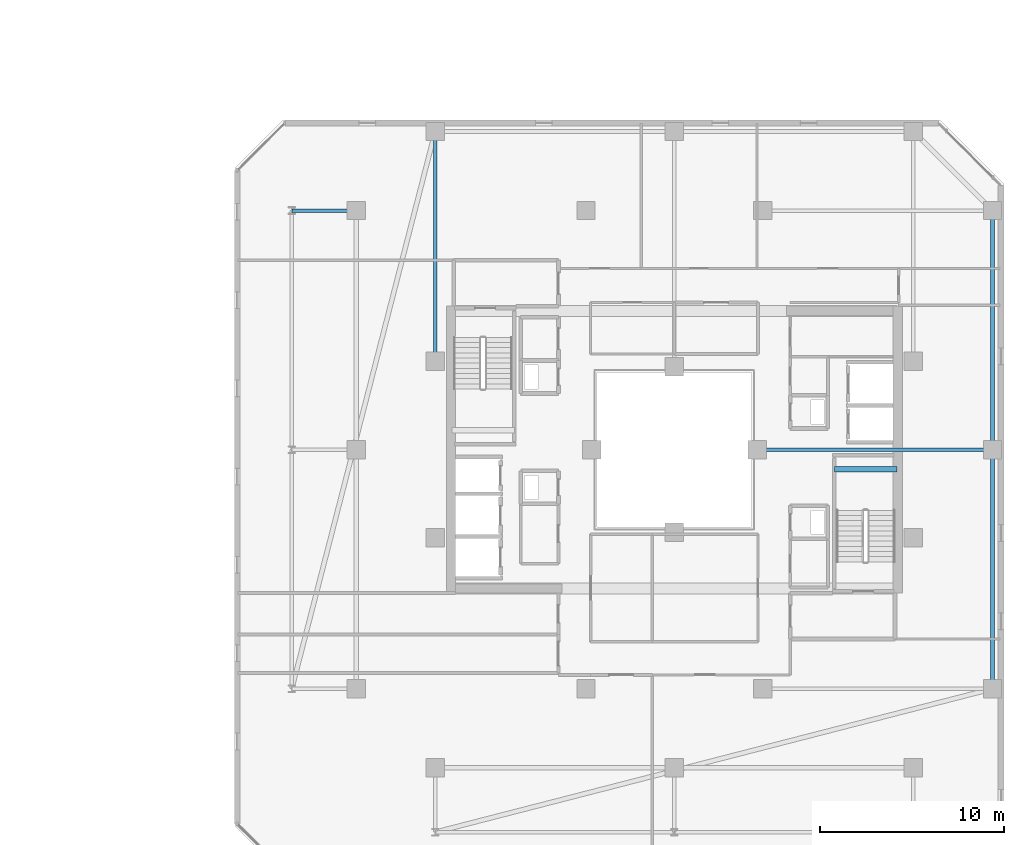
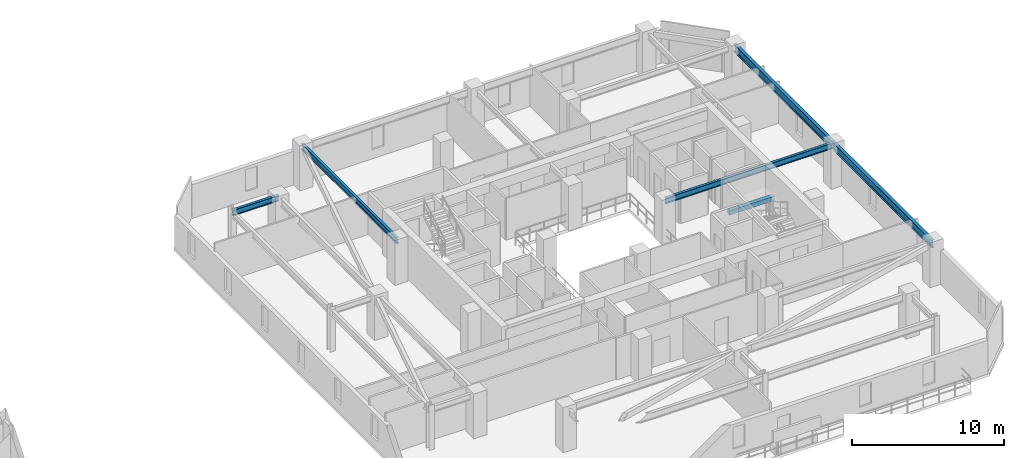
# One storey, part 14 of 33: 6 beams.
"""IFC4 building model written with IfcOpenShell, lengths in metres."""

from ifc_helpers import new_model, si_unit, direction, frame, origin, origin_2d, place, context, subcontext, project, spatial, rectangle, i_section, extrude, material, material_profile, profile_set, type_object, element, save


model = new_model("IFC4")

# Units and contexts
model_context = context("Model", 3, precision=1e-05, world=origin(), true_north=direction((0.0, 1.0)))
body_context = subcontext(model_context, "Body", "Model", "MODEL_VIEW")
ifc_project = project(units=[si_unit("LENGTHUNIT", "METRE"), si_unit("AREAUNIT", "SQUARE_METRE"), si_unit("VOLUMEUNIT", "CUBIC_METRE"), si_unit("PLANEANGLEUNIT", "RADIAN"), si_unit("MASSUNIT", "GRAM", prefix="KILO")], contexts=[model_context])

# Site, building, storey
site_placement = place(None, origin())
site = spatial("IfcSite", under=ifc_project, at=site_placement, CompositionType="ELEMENT")
building_placement = place(site_placement, origin())
building = spatial("IfcBuilding", under=site, at=building_placement, Name="Thornwick Lancets Civic Towers", CompositionType="ELEMENT")
storey_placement = place(building_placement, frame((0.0, 0.0, 210.89990234375)))
storey = spatial("IfcBuildingStorey", under=building, at=storey_placement, Name="L56", CompositionType="ELEMENT", Elevation=210.89990234375)

# Beams
ifc_material_1 = material(Name="Steel S355JR", Category="steel")
ifc_material_profile_1 = material_profile(ifc_material_1, i_section(OverallWidth=0.230224609375, OverallDepth=0.6171875, WebThickness=0.01318359375, FlangeThickness=0.022216796875, FilletRadius=0.0126953125, at=origin_2d()), Name="UKB 610x229x140")
ifc_profile_set_1 = profile_set([ifc_material_profile_1], Name="Steel S355JR")
beam_type_1 = type_object("IfcBeamType", Name="BM_GIRD_610_140", PredefinedType="BEAM", material=ifc_profile_set_1)
beam_1_placement = place(storey_placement, frame((105.800048828125, 14.0, 3.051513671875), z_axis=(0.0, 1.0, 0.0), x_axis=(-1.0, 0.0, 0.0)))
element("IfcBeam", 1, at=beam_1_placement, inside=storey, type_object=beam_type_1, Name="BM-SPINE-L56-B-0-1", PredefinedType="BEAM", context=body_context, shape_type="SweptSolid", body=[
    extrude(i_section(OverallWidth=0.230224609375, OverallDepth=0.6171875, WebThickness=0.01318359375, FlangeThickness=0.022216796875, FilletRadius=0.0126953125, at=origin_2d()), origin(), (0.0, 0.0, 1.0), 13.0),
])
beam_2_placement = place(storey_placement, frame((105.800048828125, 27.080078125, 3.051513671875), z_axis=(0.0, 1.0, 0.0), x_axis=(-1.0, 0.0, 0.0)))
element("IfcBeam", 2, at=beam_2_placement, inside=storey, type_object=beam_type_1, Name="BM-SPINE-L56-B-1-2", PredefinedType="BEAM", context=body_context, shape_type="SweptSolid", body=[
    extrude(i_section(OverallWidth=0.230224609375, OverallDepth=0.6171875, WebThickness=0.01318359375, FlangeThickness=0.022216796875, FilletRadius=0.0126953125, at=origin_2d()), origin(), (0.0, 0.0, 1.0), 12.919921875),
])
ifc_material_profile_2 = material_profile(ifc_material_1, i_section(OverallWidth=0.19287109375, OverallDepth=0.46728515625, WebThickness=0.011474609375, FlangeThickness=0.01953125, FilletRadius=0.01025390625, at=origin_2d()), Name="UKB 457x191x98")
ifc_profile_set_2 = profile_set([ifc_material_profile_2], Name="Steel S355JR")
beam_type_2 = type_object("IfcBeamType", Name="BM_JOIST_457_98", PredefinedType="JOIST", material=ifc_profile_set_2)
beam_3_placement = place(storey_placement, frame((93.0, 27.0, 3.12646484375), z_axis=(1.0, 0.0, 0.0), x_axis=(0.0, 1.0, 0.0)))
element("IfcBeam", 3, at=beam_3_placement, inside=storey, type_object=beam_type_2, Name="BM-RADIN-L56-B02", PredefinedType="JOIST", context=body_context, shape_type="SweptSolid", body=[
    extrude(i_section(OverallWidth=0.19287109375, OverallDepth=0.46728515625, WebThickness=0.011474609375, FlangeThickness=0.01953125, FilletRadius=0.01025390625, at=origin_2d()), origin(), (0.0, 0.0, 1.0), 12.800048828125),
])
beam_4_placement = place(storey_placement, frame((75.5, 31.800048828125, 3.12646484375), z_axis=(0.0, 1.0, 0.0), x_axis=(-1.0, 0.0, 0.0)))
element("IfcBeam", 4, at=beam_4_placement, inside=storey, type_object=beam_type_2, Name="BM-RADIN-L56-B06", PredefinedType="JOIST", context=body_context, shape_type="SweptSolid", body=[
    extrude(i_section(OverallWidth=0.19287109375, OverallDepth=0.46728515625, WebThickness=0.011474609375, FlangeThickness=0.01953125, FilletRadius=0.01025390625, at=origin_2d()), origin(), (0.0, 0.0, 1.0), 12.5),
])
beam_5_placement = place(storey_placement, frame((71.199951171875, 40.0, 3.12646484375), z_axis=(-1.0, 0.0, 0.0), x_axis=(0.0, -1.0, 0.0)))
element("IfcBeam", 5, at=beam_5_placement, inside=storey, type_object=beam_type_2, Name="BM-RAD-L56-B09", PredefinedType="JOIST", context=body_context, shape_type="SweptSolid", body=[
    extrude(i_section(OverallWidth=0.19287109375, OverallDepth=0.46728515625, WebThickness=0.011474609375, FlangeThickness=0.01953125, FilletRadius=0.01025390625, at=origin_2d()), origin(), (0.0, 0.0, 1.0), 3.5),
])
ifc_material_2 = material(Name="Concrete C40/50", Category="concrete")
ifc_material_profile_3 = material_profile(ifc_material_2, rectangle(XDim=0.300048828125, YDim=0.35009765625, at=origin_2d()), Name="RC 300x350")
ifc_profile_set_3 = profile_set([ifc_material_profile_3], Name="Concrete C40/50")
beam_type_3 = type_object("IfcBeamType", Name="BM_STAIR_LDG", PredefinedType="BEAM", material=ifc_profile_set_3)
beam_6_placement = place(storey_placement, frame((100.60009765625, 25.93505859375, 1.378173828125), z_axis=(-1.0, 0.0, 0.0), x_axis=(0.0, -1.0, 0.0)))
element("IfcBeam", 6, at=beam_6_placement, inside=storey, type_object=beam_type_3, Name="L56 ST-B1 Landing Support Beam 1", PredefinedType="BEAM", context=body_context, shape_type="SweptSolid", body=[
    extrude(rectangle(XDim=0.300048828125, YDim=0.35009765625, at=origin_2d()), origin(), (0.0, 0.0, 1.0), 3.400146484375),
])

save(model, "model.ifc")
